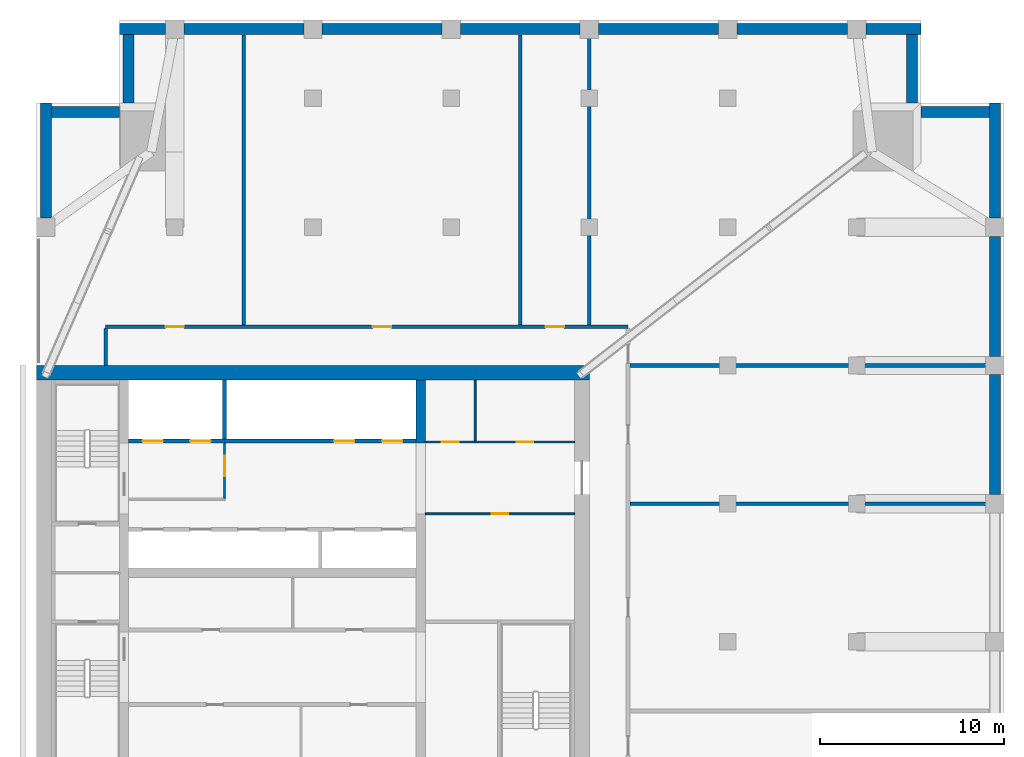
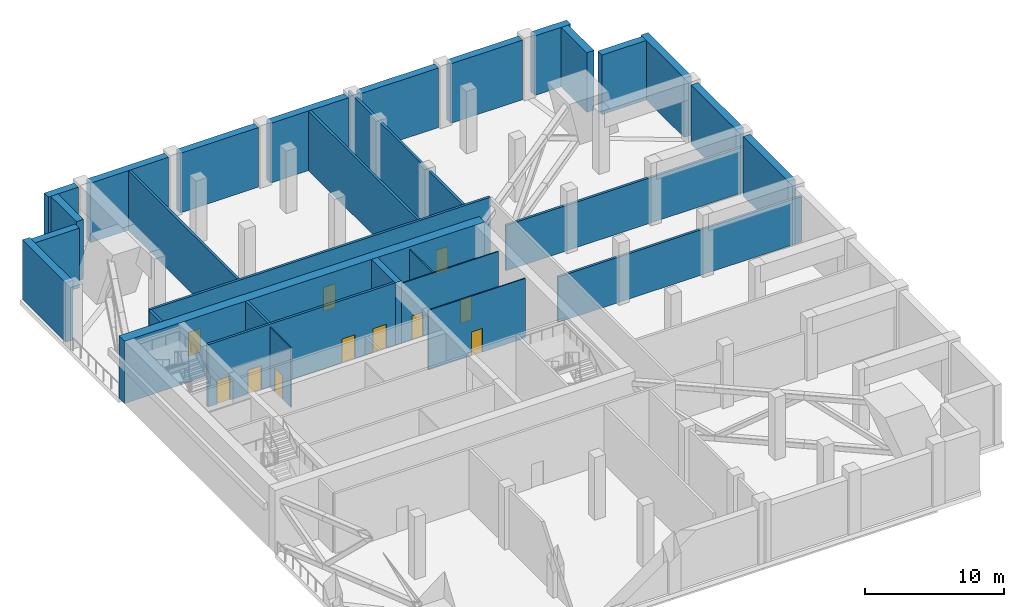
# One storey, part 4 of 9: 30 walls, 11 doors, 11 openings.
"""IFC4 building model written with IfcOpenShell, lengths in metres."""

from ifc_helpers import new_model, si_unit, direction, frame, frame_2d, origin, place, context, subcontext, project, spatial, rectangle, extrude, material, layer, layer_set, type_object, element, fill, save


model = new_model("IFC4")

# Units and contexts
model_context = context("Model", 3, precision=1e-05, world=origin(), true_north=direction((0.0, 1.0)))
body_context = subcontext(model_context, "Body", "Model", "MODEL_VIEW")
ifc_project = project(units=[si_unit("LENGTHUNIT", "METRE"), si_unit("AREAUNIT", "SQUARE_METRE"), si_unit("VOLUMEUNIT", "CUBIC_METRE"), si_unit("PLANEANGLEUNIT", "RADIAN"), si_unit("MASSUNIT", "GRAM", prefix="KILO")], contexts=[model_context])

# Site, building, storey
site_placement = place(None, origin())
site = spatial("IfcSite", under=ifc_project, at=site_placement, CompositionType="ELEMENT")
building_placement = place(site_placement, origin())
building = spatial("IfcBuilding", under=site, at=building_placement, Name="Tamorin Gate", CompositionType="ELEMENT")
storey_placement = place(building_placement, frame((0.0, 0.0, 214.199951171875)))
storey = spatial("IfcBuildingStorey", under=building, at=storey_placement, Name="L53", CompositionType="ELEMENT", Elevation=214.199951171875)

# Wall, openings, doors
ifc_material_1 = material(Name="Concrete C32/40", Category="concrete")
ifc_layer_1 = layer(ifc_material_1, 0.199951171875)
ifc_layer_set_1 = layer_set([ifc_layer_1], Name="Lift lobby face wall 200 EI 120")
wall_type_1 = type_object("IfcWallType", Name="Lift lobby face wall 200 EI 120", PredefinedType="SOLIDWALL", material=ifc_layer_set_1)
wall_1_placement = place(storey_placement, frame((35.0, 78.39990234375, 0.0), z_axis=(0.0, 0.0, 1.0), x_axis=(1.0, 0.0, 0.0)))
wall_1 = element("IfcWall", 1, at=wall_1_placement, inside=storey, type_object=wall_type_1, Name="Lift lobby face wall", PredefinedType="SOLIDWALL", context=body_context, shape_type="SweptSolid", body=[
    extrude(rectangle(XDim=15.60009765625, YDim=0.199951171875, at=frame_2d((7.800048828125, 0.0))), origin(), (0.0, 0.0, 1.0), 5.5),
])
opening_1_placement = place(wall_1_placement, frame((0.75, 0.0, 0.0)))
opening_1 = element("IfcOpeningElement", 2, at=opening_1_placement, cuts=wall_1, Name="Opening LD17", PredefinedType="OPENING", context=body_context, shape_type="SweptSolid", body=[
    extrude(rectangle(XDim=1.10009765625, YDim=2.10009765625, at=frame_2d((0.550048828125, 1.050048828125))), frame((0.0, 0.10986328125, 0.0), z_axis=(0.0, -1.0, 0.0), x_axis=(1.0, 0.0, 0.0)), (0.0, 0.0, 1.0), 0.219970703125),
])
opening_2_placement = place(wall_1_placement, frame((3.35009765625, 0.0, 0.0)))
opening_2 = element("IfcOpeningElement", 3, at=opening_2_placement, cuts=wall_1, Name="Opening LD18", PredefinedType="OPENING", context=body_context, shape_type="SweptSolid", body=[
    extrude(rectangle(XDim=1.10009765625, YDim=2.10009765625, at=frame_2d((0.550048828125, 1.050048828125))), frame((0.0, 0.10986328125, 0.0), z_axis=(0.0, -1.0, 0.0), x_axis=(1.0, 0.0, 0.0)), (0.0, 0.0, 1.0), 0.219970703125),
])
opening_3_placement = place(wall_1_placement, frame((11.14990234375, 0.0, 0.0)))
opening_3 = element("IfcOpeningElement", 4, at=opening_3_placement, cuts=wall_1, Name="Opening LD21", PredefinedType="OPENING", context=body_context, shape_type="SweptSolid", body=[
    extrude(rectangle(XDim=1.10009765625, YDim=2.10009765625, at=frame_2d((0.550048828125, 1.050048828125))), frame((0.0, 0.10986328125, 0.0), z_axis=(0.0, -1.0, 0.0), x_axis=(1.0, 0.0, 0.0)), (0.0, 0.0, 1.0), 0.219970703125),
])
opening_4_placement = place(wall_1_placement, frame((13.75, 0.0, 0.0)))
opening_4 = element("IfcOpeningElement", 5, at=opening_4_placement, cuts=wall_1, Name="Opening LD22", PredefinedType="OPENING", context=body_context, shape_type="SweptSolid", body=[
    extrude(rectangle(XDim=1.10009765625, YDim=2.10009765625, at=frame_2d((0.550048828125, 1.050048828125))), frame((0.0, 0.10986328125, 0.0), z_axis=(0.0, -1.0, 0.0), x_axis=(1.0, 0.0, 0.0)), (0.0, 0.0, 1.0), 0.219970703125),
])
ifc_material_2 = material(Name="Stainless steel sliding door", Category="steel")
door_type_1 = type_object("IfcDoorType", Name="Lift landing door 1100 x 2100 E 90", OperationType="DOUBLE_DOOR_SLIDING", PredefinedType="DOOR", material=ifc_material_2)
door_1_placement = place(opening_1_placement, origin())
door_1 = element("IfcDoor", 6, at=door_1_placement, inside=storey, type_object=door_type_1, Name="FF1 landing door", OperationType="DOUBLE_DOOR_SLIDING", OverallHeight=2.10009765625, OverallWidth=1.10009765625, PredefinedType="DOOR", context=body_context, shape_type="SweptSolid", body=[
    extrude(rectangle(XDim=1.10009765625, YDim=2.10009765625, at=frame_2d((0.550048828125, 1.050048828125))), frame((0.0, 0.02490234375, 0.0), z_axis=(0.0, -1.0, 0.0), x_axis=(1.0, 0.0, 0.0)), (0.0, 0.0, 1.0), 0.050048828125),
])
fill(opening_1, door_1)
door_2_placement = place(opening_2_placement, origin())
door_2 = element("IfcDoor", 7, at=door_2_placement, inside=storey, type_object=door_type_1, Name="FF2 landing door", OperationType="DOUBLE_DOOR_SLIDING", OverallHeight=2.10009765625, OverallWidth=1.10009765625, PredefinedType="DOOR", context=body_context, shape_type="SweptSolid", body=[
    extrude(rectangle(XDim=1.10009765625, YDim=2.10009765625, at=frame_2d((0.550048828125, 1.050048828125))), frame((0.0, 0.02490234375, 0.0), z_axis=(0.0, -1.0, 0.0), x_axis=(1.0, 0.0, 0.0)), (0.0, 0.0, 1.0), 0.050048828125),
])
fill(opening_2, door_2)
door_3_placement = place(opening_3_placement, origin())
door_3 = element("IfcDoor", 8, at=door_3_placement, inside=storey, type_object=door_type_1, Name="SV1 landing door", OperationType="DOUBLE_DOOR_SLIDING", OverallHeight=2.10009765625, OverallWidth=1.10009765625, PredefinedType="DOOR", context=body_context, shape_type="SweptSolid", body=[
    extrude(rectangle(XDim=1.10009765625, YDim=2.10009765625, at=frame_2d((0.550048828125, 1.050048828125))), frame((0.0, 0.02490234375, 0.0), z_axis=(0.0, -1.0, 0.0), x_axis=(1.0, 0.0, 0.0)), (0.0, 0.0, 1.0), 0.050048828125),
])
fill(opening_3, door_3)
door_4_placement = place(opening_4_placement, origin())
door_4 = element("IfcDoor", 9, at=door_4_placement, inside=storey, type_object=door_type_1, Name="SV2 landing door", OperationType="DOUBLE_DOOR_SLIDING", OverallHeight=2.10009765625, OverallWidth=1.10009765625, PredefinedType="DOOR", context=body_context, shape_type="SweptSolid", body=[
    extrude(rectangle(XDim=1.10009765625, YDim=2.10009765625, at=frame_2d((0.550048828125, 1.050048828125))), frame((0.0, 0.02490234375, 0.0), z_axis=(0.0, -1.0, 0.0), x_axis=(1.0, 0.0, 0.0)), (0.0, 0.0, 1.0), 0.050048828125),
])
fill(opening_4, door_4)

# Wall
ifc_layer_2 = layer(ifc_material_1, 0.199951171875)
ifc_layer_set_2 = layer_set([ifc_layer_2], Name="Lift shaft wall 200 EI 120")
wall_type_2 = type_object("IfcWallType", Name="Lift shaft wall 200 EI 120", PredefinedType="SOLIDWALL", material=ifc_layer_set_2)
wall_2_placement = place(storey_placement, frame((40.199951171875, 78.5, 0.0), z_axis=(0.0, 0.0, 1.0), x_axis=(0.0, 1.0, 0.0)))
element("IfcWall", 10, at=wall_2_placement, inside=storey, type_object=wall_type_2, Name="Lift shaft wall", PredefinedType="SOLIDWALL", context=body_context, shape_type="SweptSolid", body=[
    extrude(rectangle(XDim=3.199951171875, YDim=0.199951171875, at=frame_2d((1.60009765625, 0.0))), origin(), (0.0, 0.0, 1.0), 5.5),
])

# Wall, opening, door
ifc_material_3 = material(Name="Fire-rated gypsum board partition")
ifc_layer_3 = layer(ifc_material_3, 0.10009765625)
ifc_layer_set_3 = layer_set([ifc_layer_3], Name="Lobby wall 100 EI 60")
wall_type_3 = type_object("IfcWallType", Name="Lobby wall 100 EI 60", PredefinedType="PARTITIONING", material=ifc_layer_set_3)
wall_3_placement = place(storey_placement, frame((40.199951171875, 75.300048828125, 0.0), z_axis=(0.0, 0.0, 1.0), x_axis=(0.0, 1.0, 0.0)))
wall_3 = element("IfcWall", 11, at=wall_3_placement, inside=storey, type_object=wall_type_3, Name="Firefighting lobby wall", PredefinedType="PARTITIONING", context=body_context, shape_type="SweptSolid", body=[
    extrude(rectangle(XDim=3.0, YDim=0.10009765625, at=frame_2d((1.5, 0.0))), origin(), (0.0, 0.0, 1.0), 5.25),
])
opening_5_placement = place(wall_3_placement, frame((1.199951171875, 0.0, 0.0)))
opening_5 = element("IfcOpeningElement", 12, at=opening_5_placement, cuts=wall_3, Name="Opening DF1", PredefinedType="OPENING", context=body_context, shape_type="SweptSolid", body=[
    extrude(rectangle(XDim=1.10009765625, YDim=2.10009765625, at=frame_2d((0.550048828125, 1.050048828125))), frame((0.0, 0.06005859375, 0.0), z_axis=(0.0, -1.0, 0.0), x_axis=(1.0, 0.0, 0.0)), (0.0, 0.0, 1.0), 0.1201171875),
])
ifc_material_4 = material(Name="Steel fire door", Category="steel")
door_type_2 = type_object("IfcDoorType", Name="Firefighting lobby door 1100 x 2100 EI 90", OperationType="SINGLE_SWING_LEFT", PredefinedType="DOOR", material=ifc_material_4)
door_5_placement = place(opening_5_placement, origin())
door_5 = element("IfcDoor", 13, at=door_5_placement, inside=storey, type_object=door_type_2, Name="Firefighting lobby door", OperationType="SINGLE_SWING_LEFT", OverallHeight=2.10009765625, OverallWidth=1.10009765625, PredefinedType="DOOR", context=body_context, shape_type="SweptSolid", body=[
    extrude(rectangle(XDim=1.10009765625, YDim=2.10009765625, at=frame_2d((0.550048828125, 1.050048828125))), frame((0.0, 0.02490234375, 0.0), z_axis=(0.0, -1.0, 0.0), x_axis=(1.0, 0.0, 0.0)), (0.0, 0.0, 1.0), 0.050048828125),
])
fill(opening_5, door_5)

# Walls
ifc_material_5 = material(Name="Aluminium louvres in concrete frame", Category="concrete")
ifc_layer_4 = layer(ifc_material_5, 0.60009765625)
ifc_layer_set_4 = layer_set([ifc_layer_4], Name="Louvred plant wall 600")
wall_type_4 = type_object("IfcWallType", Name="Louvred plant wall 600", PredefinedType="ELEMENTEDWALL", material=ifc_layer_set_4)
for number, where, z_axis, x_axis, name in (
    (14, (82.0, 75.5, 0.0), (0.0, 0.0, 1.0), (0.0, 1.0, 0.0), "Louvred plant wall"),
    (15, (82.0, 83.0, 0.0), (0.0, 0.0, 1.0), (0.0, 1.0, 0.0), "Louvred plant wall"),
):
    element("IfcWall", number, at=place(storey_placement, frame(where, z_axis=z_axis, x_axis=x_axis)), inside=storey, type_object=wall_type_4, Name=name, PredefinedType="ELEMENTEDWALL", context=body_context, shape_type="SweptSolid", body=[
        extrude(rectangle(XDim=6.5, YDim=0.60009765625, at=frame_2d((3.25, 0.0))), origin(), (0.0, 0.0, 1.0), 5.25),
    ])
wall_4_placement = place(storey_placement, frame((82.0, 90.5, 0.0), z_axis=(0.0, 0.0, 1.0), x_axis=(0.0, 1.0, 0.0)))
element("IfcWall", 16, at=wall_4_placement, inside=storey, type_object=wall_type_4, Name="Louvred plant wall", PredefinedType="ELEMENTEDWALL", context=body_context, shape_type="SweptSolid", body=[
    extrude(rectangle(XDim=6.25, YDim=0.60009765625, at=frame_2d((3.125, 0.0))), origin(), (0.0, 0.0, 1.0), 5.25),
])
for number, where, z_axis, x_axis, name in (
    (17, (81.699951171875, 96.25, 0.0), (0.0, 0.0, 1.0), (-1.0, 0.0, 0.0), "Louvred plant wall"),
    (18, (77.5, 96.75, 0.0), (0.0, 0.0, 1.0), (0.0, 1.0, 0.0), "Louvred plant wall"),
):
    element("IfcWall", number, at=place(storey_placement, frame(where, z_axis=z_axis, x_axis=x_axis)), inside=storey, type_object=wall_type_4, Name=name, PredefinedType="ELEMENTEDWALL", context=body_context, shape_type="SweptSolid", body=[
        extrude(rectangle(XDim=3.699951171875, YDim=0.60009765625, at=frame_2d((1.85009765625, 0.0))), origin(), (0.0, 0.0, 1.0), 5.25),
    ])
wall_5_placement = place(storey_placement, frame((78.0, 100.75, 0.0), z_axis=(0.0, 0.0, 1.0), x_axis=(-1.0, 0.0, 0.0)))
element("IfcWall", 19, at=wall_5_placement, inside=storey, type_object=wall_type_4, Name="Louvred plant wall", PredefinedType="ELEMENTEDWALL", context=body_context, shape_type="SweptSolid", body=[
    extrude(rectangle(XDim=3.0, YDim=0.60009765625, at=frame_2d((1.5, 0.0))), origin(), (0.0, 0.0, 1.0), 5.25),
])
wall_6_placement = place(storey_placement, frame((74.0, 100.75, 0.0), z_axis=(0.0, 0.0, 1.0), x_axis=(-1.0, 0.0, 0.0)))
element("IfcWall", 20, at=wall_6_placement, inside=storey, type_object=wall_type_4, Name="Louvred plant wall", PredefinedType="ELEMENTEDWALL", context=body_context, shape_type="SweptSolid", body=[
    extrude(rectangle(XDim=6.0, YDim=0.60009765625, at=frame_2d((3.0, 0.0))), origin(), (0.0, 0.0, 1.0), 5.25),
])
for number, where, z_axis, x_axis, name in (
    (21, (67.0, 100.75, 0.0), (0.0, 0.0, 1.0), (-1.0, 0.0, 0.0), "Louvred plant wall"),
    (22, (59.5, 100.75, 0.0), (0.0, 0.0, 1.0), (-1.0, 0.0, 0.0), "Louvred plant wall"),
    (23, (52.0, 100.75, 0.0), (0.0, 0.0, 1.0), (-1.0, 0.0, 0.0), "Louvred plant wall"),
    (24, (44.5, 100.75, 0.0), (0.0, 0.0, 1.0), (-1.0, 0.0, 0.0), "Louvred plant wall"),
):
    element("IfcWall", number, at=place(storey_placement, frame(where, z_axis=z_axis, x_axis=x_axis)), inside=storey, type_object=wall_type_4, Name=name, PredefinedType="ELEMENTEDWALL", context=body_context, shape_type="SweptSolid", body=[
        extrude(rectangle(XDim=6.5, YDim=0.60009765625, at=frame_2d((3.25, 0.0))), origin(), (0.0, 0.0, 1.0), 5.25),
    ])
wall_7_placement = place(storey_placement, frame((37.0, 100.75, 0.0), z_axis=(0.0, 0.0, 1.0), x_axis=(-1.0, 0.0, 0.0)))
element("IfcWall", 25, at=wall_7_placement, inside=storey, type_object=wall_type_4, Name="Louvred plant wall", PredefinedType="ELEMENTEDWALL", context=body_context, shape_type="SweptSolid", body=[
    extrude(rectangle(XDim=2.5, YDim=0.60009765625, at=frame_2d((1.25, 0.0))), origin(), (0.0, 0.0, 1.0), 5.25),
])
for number, where, z_axis, x_axis, name in (
    (26, (35.0, 100.449951171875, 0.0), (0.0, 0.0, 1.0), (0.0, -1.0, 0.0), "Louvred plant wall"),
    (27, (34.5, 96.25, 0.0), (0.0, 0.0, 1.0), (-1.0, 0.0, 0.0), "Louvred plant wall"),
):
    element("IfcWall", number, at=place(storey_placement, frame(where, z_axis=z_axis, x_axis=x_axis)), inside=storey, type_object=wall_type_4, Name=name, PredefinedType="ELEMENTEDWALL", context=body_context, shape_type="SweptSolid", body=[
        extrude(rectangle(XDim=3.699951171875, YDim=0.60009765625, at=frame_2d((1.85009765625, 0.0))), origin(), (0.0, 0.0, 1.0), 5.25),
    ])
wall_8_placement = place(storey_placement, frame((30.5, 96.75, 0.0), z_axis=(0.0, 0.0, 1.0), x_axis=(0.0, -1.0, 0.0)))
element("IfcWall", 28, at=wall_8_placement, inside=storey, type_object=wall_type_4, Name="Louvred plant wall", PredefinedType="ELEMENTEDWALL", context=body_context, shape_type="SweptSolid", body=[
    extrude(rectangle(XDim=6.25, YDim=0.60009765625, at=frame_2d((3.125, 0.0))), origin(), (0.0, 0.0, 1.0), 5.25),
])
ifc_material_6 = material(Name="Gypsum board partition")
ifc_layer_5 = layer(ifc_material_6, 0.199951171875)
ifc_layer_set_5 = layer_set([ifc_layer_5], Name="Plant and refuge wall 200")
wall_type_5 = type_object("IfcWallType", Name="Plant and refuge wall 200", PredefinedType="PARTITIONING", material=ifc_layer_set_5)
for number, where, z_axis, x_axis, name in (
    (29, (62.199951171875, 75.0, 0.0), (0.0, 0.0, 1.0), (1.0, 0.0, 0.0), "Plant and refuge wall 200"),
    (30, (62.199951171875, 82.5, 0.0), (0.0, 0.0, 1.0), (1.0, 0.0, 0.0), "Plant and refuge wall 200"),
):
    element("IfcWall", number, at=place(storey_placement, frame(where, z_axis=z_axis, x_axis=x_axis)), inside=storey, type_object=wall_type_5, Name=name, PredefinedType="PARTITIONING", context=body_context, shape_type="SweptSolid", body=[
        extrude(rectangle(XDim=20.300048828125, YDim=0.199951171875, at=frame_2d((10.14990234375, 0.0))), origin(), (0.0, 0.0, 1.0), 4.0),
    ])

# Wall, openings, doors
wall_9_placement = place(storey_placement, frame((33.75, 84.60009765625, 0.0), z_axis=(0.0, 0.0, 1.0), x_axis=(1.0, 0.0, 0.0)))
wall_9 = element("IfcWall", 31, at=wall_9_placement, inside=storey, type_object=wall_type_5, Name="Plant and refuge wall 200", PredefinedType="PARTITIONING", context=body_context, shape_type="SweptSolid", body=[
    extrude(rectangle(XDim=28.35009765625, YDim=0.199951171875, at=frame_2d((14.175048828125, 0.0))), origin(), (0.0, 0.0, 1.0), 5.25),
])
opening_6_placement = place(wall_9_placement, frame((3.25, 0.0, 0.0)))
opening_6 = element("IfcOpeningElement", 32, at=opening_6_placement, cuts=wall_9, Name="Opening DPL3005", PredefinedType="OPENING", context=body_context, shape_type="SweptSolid", body=[
    extrude(rectangle(XDim=1.0, YDim=2.10009765625, at=frame_2d((0.5, 1.050048828125))), frame((0.0, 0.10986328125, 0.0), z_axis=(0.0, -1.0, 0.0), x_axis=(1.0, 0.0, 0.0)), (0.0, 0.0, 1.0), 0.219970703125),
])
opening_7_placement = place(wall_9_placement, frame((14.5, 0.0, 0.0)))
opening_7 = element("IfcOpeningElement", 33, at=opening_7_placement, cuts=wall_9, Name="Opening DPL3006", PredefinedType="OPENING", context=body_context, shape_type="SweptSolid", body=[
    extrude(rectangle(XDim=1.0, YDim=2.10009765625, at=frame_2d((0.5, 1.050048828125))), frame((0.0, 0.10986328125, 0.0), z_axis=(0.0, -1.0, 0.0), x_axis=(1.0, 0.0, 0.0)), (0.0, 0.0, 1.0), 0.219970703125),
])
opening_8_placement = place(wall_9_placement, frame((23.875, 0.0, 0.0)))
opening_8 = element("IfcOpeningElement", 34, at=opening_8_placement, cuts=wall_9, Name="Opening DPL3007", PredefinedType="OPENING", context=body_context, shape_type="SweptSolid", body=[
    extrude(rectangle(XDim=1.0, YDim=2.10009765625, at=frame_2d((0.5, 1.050048828125))), frame((0.0, 0.10986328125, 0.0), z_axis=(0.0, -1.0, 0.0), x_axis=(1.0, 0.0, 0.0)), (0.0, 0.0, 1.0), 0.219970703125),
])
ifc_material_7 = material(Name="Timber door leaf", Category="wood")
door_type_3 = type_object("IfcDoorType", Name="Door 1000 x 2100 FD60", OperationType="NOTDEFINED", PredefinedType="DOOR", material=ifc_material_7)
door_6_placement = place(opening_6_placement, origin())
door_6 = element("IfcDoor", 35, at=door_6_placement, inside=storey, type_object=door_type_3, Name="Door DPL3005", OperationType="SINGLE_SWING_LEFT", OverallHeight=2.10009765625, OverallWidth=1.0, PredefinedType="DOOR", context=body_context, shape_type="SweptSolid", body=[
    extrude(rectangle(XDim=1.0, YDim=2.10009765625, at=frame_2d((0.5, 1.050048828125))), frame((0.0, 0.02490234375, 0.0), z_axis=(0.0, -1.0, 0.0), x_axis=(1.0, 0.0, 0.0)), (0.0, 0.0, 1.0), 0.050048828125),
])
fill(opening_6, door_6)
door_7_placement = place(opening_7_placement, origin())
door_7 = element("IfcDoor", 36, at=door_7_placement, inside=storey, type_object=door_type_3, Name="Door DPL3006", OperationType="SINGLE_SWING_LEFT", OverallHeight=2.10009765625, OverallWidth=1.0, PredefinedType="DOOR", context=body_context, shape_type="SweptSolid", body=[
    extrude(rectangle(XDim=1.0, YDim=2.10009765625, at=frame_2d((0.5, 1.050048828125))), frame((0.0, 0.02490234375, 0.0), z_axis=(0.0, -1.0, 0.0), x_axis=(1.0, 0.0, 0.0)), (0.0, 0.0, 1.0), 0.050048828125),
])
fill(opening_7, door_7)
door_8_placement = place(opening_8_placement, origin())
door_8 = element("IfcDoor", 37, at=door_8_placement, inside=storey, type_object=door_type_3, Name="Door DPL3007", OperationType="SINGLE_SWING_LEFT", OverallHeight=2.10009765625, OverallWidth=1.0, PredefinedType="DOOR", context=body_context, shape_type="SweptSolid", body=[
    extrude(rectangle(XDim=1.0, YDim=2.10009765625, at=frame_2d((0.5, 1.050048828125))), frame((0.0, 0.02490234375, 0.0), z_axis=(0.0, -1.0, 0.0), x_axis=(1.0, 0.0, 0.0)), (0.0, 0.0, 1.0), 0.050048828125),
])
fill(opening_8, door_8)

# Walls
wall_10_placement = place(storey_placement, frame((33.75, 82.5, 0.0), z_axis=(0.0, 0.0, 1.0), x_axis=(0.0, 1.0, 0.0)))
element("IfcWall", 38, at=wall_10_placement, inside=storey, type_object=wall_type_5, Name="Plant and refuge wall 200", PredefinedType="PARTITIONING", context=body_context, shape_type="SweptSolid", body=[
    extrude(rectangle(XDim=2.0, YDim=0.199951171875, at=frame_2d((1.0, 0.0))), origin(), (0.0, 0.0, 1.0), 5.25),
])
for number, where, z_axis, x_axis, name in (
    (39, (41.25, 84.699951171875, 0.0), (0.0, 0.0, 1.0), (0.0, 1.0, 0.0), "Plant and refuge wall 200"),
    (40, (56.25, 84.699951171875, 0.0), (0.0, 0.0, 1.0), (0.0, 1.0, 0.0), "Plant and refuge wall 200"),
):
    element("IfcWall", number, at=place(storey_placement, frame(where, z_axis=z_axis, x_axis=x_axis)), inside=storey, type_object=wall_type_5, Name=name, PredefinedType="PARTITIONING", context=body_context, shape_type="SweptSolid", body=[
        extrude(rectangle(XDim=15.739990234375, YDim=0.199951171875, at=frame_2d((7.8701171875, 0.0))), origin(), (0.0, 0.0, 1.0), 5.25),
    ])
wall_11_placement = place(storey_placement, frame((60.0, 84.699951171875, 0.0), z_axis=(0.0, 0.0, 1.0), x_axis=(0.0, 1.0, 0.0)))
element("IfcWall", 41, at=wall_11_placement, inside=storey, type_object=wall_type_5, Name="Plant and refuge wall 200", PredefinedType="PARTITIONING", context=body_context, shape_type="SweptSolid", body=[
    extrude(rectangle(XDim=16.550048828125, YDim=0.199951171875, at=frame_2d((8.27490234375, 0.0))), origin(), (0.0, 0.0, 1.0), 5.25),
])
ifc_material_8 = material(Name="Concrete C60/75", Category="concrete")
ifc_layer_6 = layer(ifc_material_8, 0.5)
ifc_layer_set_6 = layer_set([ifc_layer_6], Name="RC core internal wall 500 C60/75")
wall_type_6 = type_object("IfcWallType", Name="RC core internal wall 500 C60/75", PredefinedType="SHEAR", material=ifc_layer_set_6)
wall_12_placement = place(storey_placement, frame((50.85009765625, 78.300048828125, 0.0), z_axis=(0.0, 0.0, 1.0), x_axis=(0.0, 1.0, 0.0)))
element("IfcWall", 42, at=wall_12_placement, inside=storey, type_object=wall_type_6, Name="Core cross wall L53", PredefinedType="SHEAR", context=body_context, shape_type="SweptSolid", body=[
    extrude(rectangle(XDim=3.39990234375, YDim=0.5, at=frame_2d((1.699951171875, 0.0))), origin(), (0.0, 0.0, 1.0), 5.5),
])
ifc_layer_7 = layer(ifc_material_8, 0.800048828125)
ifc_layer_set_7 = layer_set([ifc_layer_7], Name="RC core wall 800 C60/75")
wall_type_7 = type_object("IfcWallType", Name="RC core wall 800 C60/75", PredefinedType="SHEAR", material=ifc_layer_set_7)
wall_13_placement = place(storey_placement, frame((30.0, 82.10009765625, 0.0), z_axis=(0.0, 0.0, 1.0), x_axis=(1.0, 0.0, 0.0)))
element("IfcWall", 43, at=wall_13_placement, inside=storey, type_object=wall_type_7, Name="Core wall L53", PredefinedType="SHEAR", context=body_context, shape_type="SweptSolid", body=[
    extrude(rectangle(XDim=30.0, YDim=0.800048828125, at=frame_2d((15.0, 0.0))), origin(), (0.0, 0.0, 1.0), 5.5),
])

# Wall, opening, door
ifc_layer_8 = layer(ifc_material_6, 0.10009765625)
ifc_layer_set_8 = layer_set([ifc_layer_8], Name="Service room partition 100 EI 60")
wall_type_8 = type_object("IfcWallType", Name="Service room partition 100 EI 60", PredefinedType="PARTITIONING", material=ifc_layer_set_8)
wall_14_placement = place(storey_placement, frame((51.10009765625, 74.449951171875, 0.0), z_axis=(0.0, 0.0, 1.0), x_axis=(1.0, 0.0, 0.0)))
wall_14 = element("IfcWall", 44, at=wall_14_placement, inside=storey, type_object=wall_type_8, Name="Service room wall", PredefinedType="PARTITIONING", context=body_context, shape_type="SweptSolid", body=[
    extrude(rectangle(XDim=8.099853515625, YDim=0.10009765625, at=frame_2d((4.0498046875, 0.0))), origin(), (0.0, 0.0, 1.0), 5.25),
])
opening_9_placement = place(wall_14_placement, frame((3.60009765625, 0.0, 0.0)))
opening_9 = element("IfcOpeningElement", 45, at=opening_9_placement, cuts=wall_14, Name="Opening DR1", PredefinedType="OPENING", context=body_context, shape_type="SweptSolid", body=[
    extrude(rectangle(XDim=0.89990234375, YDim=2.10009765625, at=frame_2d((0.449951171875, 1.050048828125))), frame((0.0, 0.06005859375, 0.0), z_axis=(0.0, -1.0, 0.0), x_axis=(1.0, 0.0, 0.0)), (0.0, 0.0, 1.0), 0.1201171875),
])
door_type_4 = type_object("IfcDoorType", Name="Riser access door 900 x 2100 EI 120", OperationType="SINGLE_SWING_LEFT", PredefinedType="DOOR", material=ifc_material_4)
door_9_placement = place(opening_9_placement, origin())
door_9 = element("IfcDoor", 46, at=door_9_placement, inside=storey, type_object=door_type_4, Name="Duct riser door", OperationType="SINGLE_SWING_LEFT", OverallHeight=2.10009765625, OverallWidth=0.89990234375, PredefinedType="DOOR", context=body_context, shape_type="SweptSolid", body=[
    extrude(rectangle(XDim=0.89990234375, YDim=2.10009765625, at=frame_2d((0.449951171875, 1.050048828125))), frame((0.0, 0.02490234375, 0.0), z_axis=(0.0, -1.0, 0.0), x_axis=(1.0, 0.0, 0.0)), (0.0, 0.0, 1.0), 0.050048828125),
])
fill(opening_9, door_9)

# Wall, openings, doors
wall_15_placement = place(storey_placement, frame((51.10009765625, 78.35009765625, 0.0), z_axis=(0.0, 0.0, 1.0), x_axis=(1.0, 0.0, 0.0)))
wall_15 = element("IfcWall", 47, at=wall_15_placement, inside=storey, type_object=wall_type_8, Name="Service room wall", PredefinedType="PARTITIONING", context=body_context, shape_type="SweptSolid", body=[
    extrude(rectangle(XDim=8.099853515625, YDim=0.10009765625, at=frame_2d((4.0498046875, 0.0))), origin(), (0.0, 0.0, 1.0), 5.25),
])
opening_10_placement = place(wall_15_placement, frame((0.89990234375, 0.0, 0.0)))
opening_10 = element("IfcOpeningElement", 48, at=opening_10_placement, cuts=wall_15, Name="Opening DK1", PredefinedType="OPENING", context=body_context, shape_type="SweptSolid", body=[
    extrude(rectangle(XDim=0.89990234375, YDim=2.10009765625, at=frame_2d((0.449951171875, 1.050048828125))), frame((0.0, 0.06005859375, 0.0), z_axis=(0.0, -1.0, 0.0), x_axis=(1.0, 0.0, 0.0)), (0.0, 0.0, 1.0), 0.1201171875),
])
opening_11_placement = place(wall_15_placement, frame((4.949951171875, 0.0, 0.0)))
opening_11 = element("IfcOpeningElement", 49, at=opening_11_placement, cuts=wall_15, Name="Opening DK1", PredefinedType="OPENING", context=body_context, shape_type="SweptSolid", body=[
    extrude(rectangle(XDim=0.89990234375, YDim=2.10009765625, at=frame_2d((0.449951171875, 1.050048828125))), frame((0.0, 0.06005859375, 0.0), z_axis=(0.0, -1.0, 0.0), x_axis=(1.0, 0.0, 0.0)), (0.0, 0.0, 1.0), 0.1201171875),
])
ifc_material_9 = material(Name="Timber fire door", Category="wood")
door_type_5 = type_object("IfcDoorType", Name="Service room door 900 x 2100 EI 60", OperationType="SINGLE_SWING_LEFT", PredefinedType="DOOR", material=ifc_material_9)
door_10_placement = place(opening_10_placement, origin())
door_10 = element("IfcDoor", 50, at=door_10_placement, inside=storey, type_object=door_type_5, Name="Door Pump room", OperationType="SINGLE_SWING_LEFT", OverallHeight=2.10009765625, OverallWidth=0.89990234375, PredefinedType="DOOR", context=body_context, shape_type="SweptSolid", body=[
    extrude(rectangle(XDim=0.89990234375, YDim=2.10009765625, at=frame_2d((0.449951171875, 1.050048828125))), frame((0.0, 0.02490234375, 0.0), z_axis=(0.0, -1.0, 0.0), x_axis=(1.0, 0.0, 0.0)), (0.0, 0.0, 1.0), 0.050048828125),
])
fill(opening_10, door_10)
door_11_placement = place(opening_11_placement, origin())
door_11 = element("IfcDoor", 51, at=door_11_placement, inside=storey, type_object=door_type_5, Name="Door Plant store", OperationType="SINGLE_SWING_RIGHT", OverallHeight=2.10009765625, OverallWidth=0.89990234375, PredefinedType="DOOR", context=body_context, shape_type="SweptSolid", body=[
    extrude(rectangle(XDim=0.89990234375, YDim=2.10009765625, at=frame_2d((0.449951171875, 1.050048828125))), frame((0.0, 0.02490234375, 0.0), z_axis=(0.0, -1.0, 0.0), x_axis=(1.0, 0.0, 0.0)), (0.0, 0.0, 1.0), 0.050048828125),
])
fill(opening_11, door_11)

# Wall
wall_16_placement = place(storey_placement, frame((53.800048828125, 78.39990234375, 0.0), z_axis=(0.0, 0.0, 1.0), x_axis=(0.0, 1.0, 0.0)))
element("IfcWall", 52, at=wall_16_placement, inside=storey, type_object=wall_type_8, Name="Service room partition", PredefinedType="PARTITIONING", context=body_context, shape_type="SweptSolid", body=[
    extrude(rectangle(XDim=3.300048828125, YDim=0.10009765625, at=frame_2d((1.64990234375, 0.0))), origin(), (0.0, 0.0, 1.0), 5.25),
])

save(model, "model.ifc")
